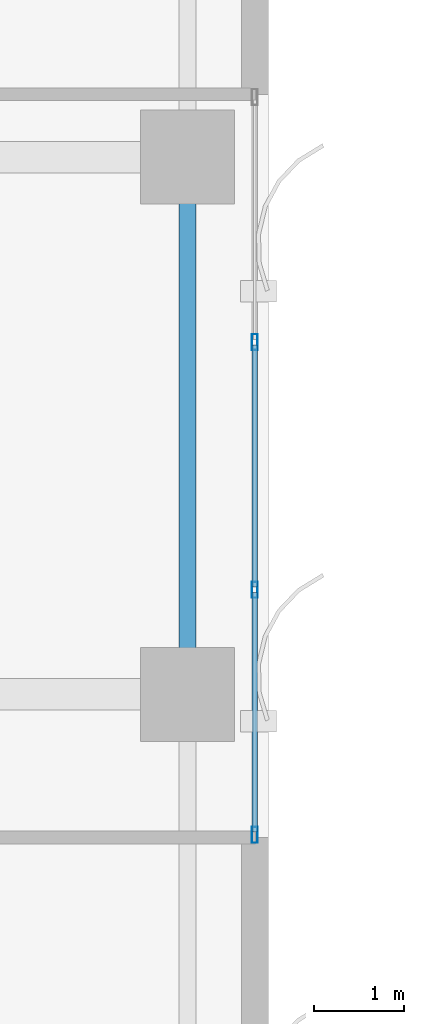
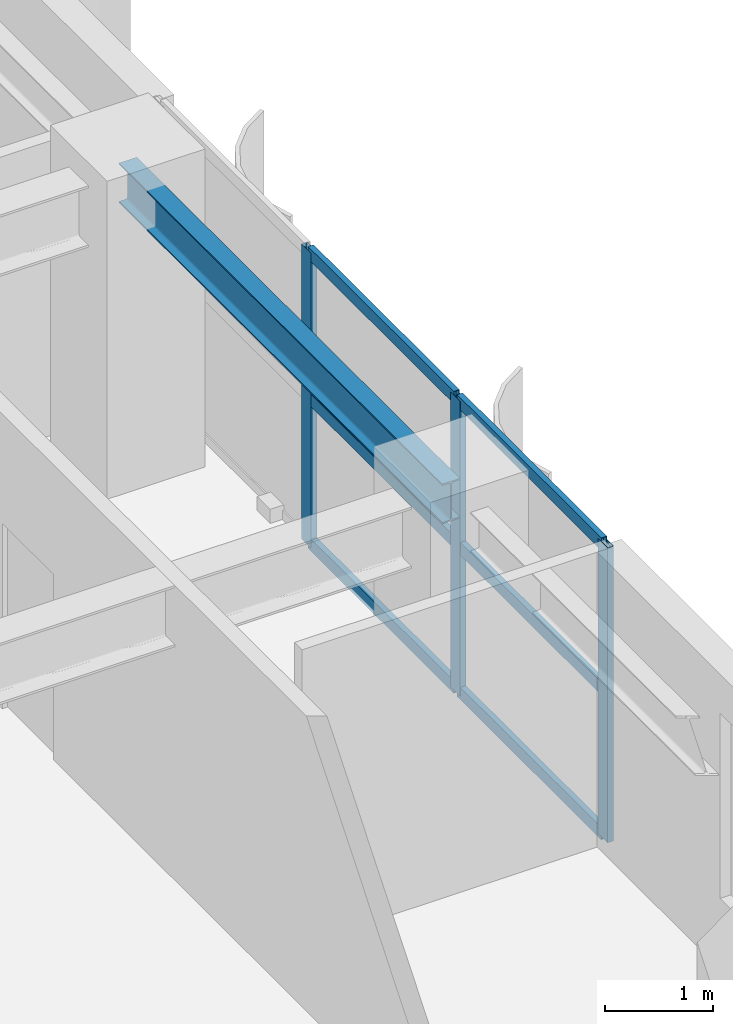
# One storey, part 11 of 23: 9 members, 1 beam, 1 element without a shape of its own.
"""IFC4 building model written with IfcOpenShell, lengths in metres."""

from ifc_helpers import new_model, si_unit, direction, frame, origin, origin_2d, place, context, subcontext, project, spatial, hollow_rectangle, i_section, extrude, source, transform, mapped, material, layer, layer_set, material_profile, profile_set, type_object, element, aggregate, save


model = new_model("IFC4")

# Units and contexts
model_context = context("Model", 3, precision=1e-05, world=origin(), true_north=direction((0.0, 1.0)))
body_context = subcontext(model_context, "Body", "Model", "MODEL_VIEW")
ifc_project = project(units=[si_unit("LENGTHUNIT", "METRE"), si_unit("AREAUNIT", "SQUARE_METRE"), si_unit("VOLUMEUNIT", "CUBIC_METRE"), si_unit("PLANEANGLEUNIT", "RADIAN"), si_unit("MASSUNIT", "GRAM", prefix="KILO")], contexts=[model_context])

# Site, building, storey
site_placement = place(None, origin())
site = spatial("IfcSite", under=ifc_project, at=site_placement, CompositionType="ELEMENT")
building_placement = place(site_placement, origin())
building = spatial("IfcBuilding", under=site, at=building_placement, Name="Khoralis Quay Care Tower", CompositionType="ELEMENT")
storey_placement = place(building_placement, frame((0.0, 0.0, 83.699951171875)))
storey = spatial("IfcBuildingStorey", under=building, at=storey_placement, Name="L21", CompositionType="ELEMENT", Elevation=83.699951171875)

# Beam
ifc_material_1 = material(Name="Steel S355", Category="steel")
ifc_material_profile_1 = material_profile(ifc_material_1, i_section(OverallWidth=0.18994140625, OverallDepth=0.449951171875, WebThickness=0.009521484375, FlangeThickness=0.0146484375, FilletRadius=0.02099609375, at=origin_2d()), Name="Steel S355")
ifc_profile_set_1 = profile_set([ifc_material_profile_1], Name="Steel S355")
beam_type = type_object("IfcBeamType", Name="BM-IPE450", PredefinedType="SPANDREL", material=ifc_profile_set_1)
shared_shape_1 = source(origin(), body_context, "Body", "SweptSolid", [
    extrude(i_section(OverallWidth=0.18994140625, OverallDepth=0.449951171875, WebThickness=0.009521484375, FlangeThickness=0.0146484375, FilletRadius=0.02099609375, at=origin_2d()), origin(), (0.0, 0.0, 1.0), 6.0),
])
beam_placement = place(storey_placement, frame((44.10009765625, 18.0, 3.114990234375), z_axis=(0.0, 1.0, 0.0), x_axis=(-1.0, 0.0, 0.0)))
element("IfcBeam", 1, at=beam_placement, inside=storey, type_object=beam_type, Name="BM-TSP-L21-18", PredefinedType="SPANDREL", context=body_context, shape_type="MappedRepresentation", body=[
    mapped(shared_shape_1, transform((0.0, 0.0, 0.0), scale=1.0)),
])

# Curtain wall, members
ifc_material_2 = material(Name="Pale anodised aluminium", Category="aluminium")
ifc_layer = layer(ifc_material_2, 0.169921875)
ifc_layer_set = layer_set([ifc_layer], Name="Pale anodised aluminium")
curtain_wall_type = type_object("IfcCurtainWallType", Name="CW-SYS-Z2", PredefinedType="NOTDEFINED", material=ifc_layer_set)
curtain_wall_placement = place(storey_placement, origin())
curtain_wall = element("IfcCurtainWall", 2, at=curtain_wall_placement, inside=storey, type_object=curtain_wall_type, Name="L21 Unitised Curtain Wall CW-L21-P1-E5", PredefinedType="NOTDEFINED")
ifc_material_profile_2 = material_profile(ifc_material_2, hollow_rectangle(XDim=0.06494140625, YDim=0.179931640625, WallThickness=0.00390625, at=origin_2d()), Name="Pale anodised aluminium")
ifc_profile_set_2 = profile_set([ifc_material_profile_2], Name="Pale anodised aluminium")
member_type_1 = type_object("IfcMemberType", Name="CW-MUL-180", PredefinedType="MULLION", material=ifc_profile_set_2)
shared_shape_2 = source(origin(), body_context, "Body", "SweptSolid", [
    extrude(hollow_rectangle(XDim=0.06494140625, YDim=0.179931640625, WallThickness=0.00390625, at=origin_2d()), origin(), (0.0, 0.0, 1.0), 3.340087890625),
])
member_1_placement = place(storey_placement, frame((44.85009765625, 16.429931640625, 0.0), z_axis=(0.0, 0.0, 1.0), x_axis=(-1.0, 0.0, 0.0)))
member_1 = element("IfcMember", 3, at=member_1_placement, type_object=member_type_1, Name="CW2 mullion 1", PredefinedType="MULLION", context=body_context, shape_type="MappedRepresentation", body=[
    mapped(shared_shape_2, transform((0.0, 0.0, 0.0), scale=1.0)),
])
member_2_placement = place(storey_placement, frame((44.85009765625, 19.166748046875, 0.0), z_axis=(0.0, 0.0, 1.0), x_axis=(-1.0, 0.0, 0.0)))
member_2 = element("IfcMember", 4, at=member_2_placement, type_object=member_type_1, Name="CW2 mullion 2", PredefinedType="MULLION", context=body_context, shape_type="MappedRepresentation", body=[
    mapped(shared_shape_2, transform((0.0, 0.0, 0.0), scale=1.0)),
])
member_3_placement = place(storey_placement, frame((44.85009765625, 21.933349609375, 0.0), z_axis=(0.0, 0.0, 1.0), x_axis=(-1.0, 0.0, 0.0)))
member_3 = element("IfcMember", 5, at=member_3_placement, type_object=member_type_1, Name="CW2 mullion 3", PredefinedType="MULLION", context=body_context, shape_type="MappedRepresentation", body=[
    mapped(shared_shape_2, transform((0.0, 0.0, 0.0), scale=1.0)),
])
ifc_material_profile_3 = material_profile(ifc_material_2, hollow_rectangle(XDim=0.06005859375, YDim=0.139892578125, WallThickness=0.00390625, at=origin_2d()), Name="Pale anodised aluminium")
ifc_profile_set_3 = profile_set([ifc_material_profile_3], Name="Pale anodised aluminium")
member_type_2 = type_object("IfcMemberType", Name="CW-TRN-140", PredefinedType="USERDEFINED", material=ifc_profile_set_3)
shared_shape_3 = source(origin(), body_context, "Body", "SweptSolid", [
    extrude(hollow_rectangle(XDim=0.06005859375, YDim=0.139892578125, WallThickness=0.00390625, at=origin_2d()), origin(), (0.0, 0.0, 1.0), 2.6767578125),
])
member_4_placement = place(storey_placement, frame((44.85009765625, 16.4599609375, 0.030029296875), z_axis=(0.0, 1.0, 0.0), x_axis=(-1.0, 0.0, 0.0)))
member_4 = element("IfcMember", 6, at=member_4_placement, type_object=member_type_2, Name="CW2 transom 1.1", ObjectType="TRANSOM", PredefinedType="USERDEFINED", context=body_context, shape_type="MappedRepresentation", body=[
    mapped(shared_shape_3, transform((0.0, 0.0, 0.0), scale=1.0)),
])
member_5_placement = place(storey_placement, frame((44.85009765625, 16.4599609375, 1.670166015625), z_axis=(0.0, 1.0, 0.0), x_axis=(-1.0, 0.0, 0.0)))
member_5 = element("IfcMember", 7, at=member_5_placement, type_object=member_type_2, Name="CW2 transom 1.2", ObjectType="TRANSOM", PredefinedType="USERDEFINED", context=body_context, shape_type="MappedRepresentation", body=[
    mapped(shared_shape_3, transform((0.0, 0.0, 0.0), scale=1.0)),
])
member_6_placement = place(storey_placement, frame((44.85009765625, 16.4599609375, 3.31005859375), z_axis=(0.0, 1.0, 0.0), x_axis=(-1.0, 0.0, 0.0)))
member_6 = element("IfcMember", 8, at=member_6_placement, type_object=member_type_2, Name="CW2 transom 1.3", ObjectType="TRANSOM", PredefinedType="USERDEFINED", context=body_context, shape_type="MappedRepresentation", body=[
    mapped(shared_shape_3, transform((0.0, 0.0, 0.0), scale=1.0)),
])
shared_shape_4 = source(origin(), body_context, "Body", "SweptSolid", [
    extrude(hollow_rectangle(XDim=0.06005859375, YDim=0.139892578125, WallThickness=0.00390625, at=origin_2d()), origin(), (0.0, 0.0, 1.0), 2.70654296875),
])
member_7_placement = place(storey_placement, frame((44.85009765625, 19.19677734375, 0.030029296875), z_axis=(0.0, 1.0, 0.0), x_axis=(-1.0, 0.0, 0.0)))
member_7 = element("IfcMember", 9, at=member_7_placement, type_object=member_type_2, Name="CW2 transom 2.1", ObjectType="TRANSOM", PredefinedType="USERDEFINED", context=body_context, shape_type="MappedRepresentation", body=[
    mapped(shared_shape_4, transform((0.0, 0.0, 0.0), scale=1.0)),
])
member_8_placement = place(storey_placement, frame((44.85009765625, 19.19677734375, 1.670166015625), z_axis=(0.0, 1.0, 0.0), x_axis=(-1.0, 0.0, 0.0)))
member_8 = element("IfcMember", 10, at=member_8_placement, type_object=member_type_2, Name="CW2 transom 2.2", ObjectType="TRANSOM", PredefinedType="USERDEFINED", context=body_context, shape_type="MappedRepresentation", body=[
    mapped(shared_shape_4, transform((0.0, 0.0, 0.0), scale=1.0)),
])
member_9_placement = place(storey_placement, frame((44.85009765625, 19.19677734375, 3.31005859375), z_axis=(0.0, 1.0, 0.0), x_axis=(-1.0, 0.0, 0.0)))
member_9 = element("IfcMember", 11, at=member_9_placement, type_object=member_type_2, Name="CW2 transom 2.3", ObjectType="TRANSOM", PredefinedType="USERDEFINED", context=body_context, shape_type="MappedRepresentation", body=[
    mapped(shared_shape_4, transform((0.0, 0.0, 0.0), scale=1.0)),
])
aggregate(curtain_wall, [member_1, member_2, member_3, member_4, member_5, member_6, member_7, member_8, member_9])

save(model, "model.ifc")
